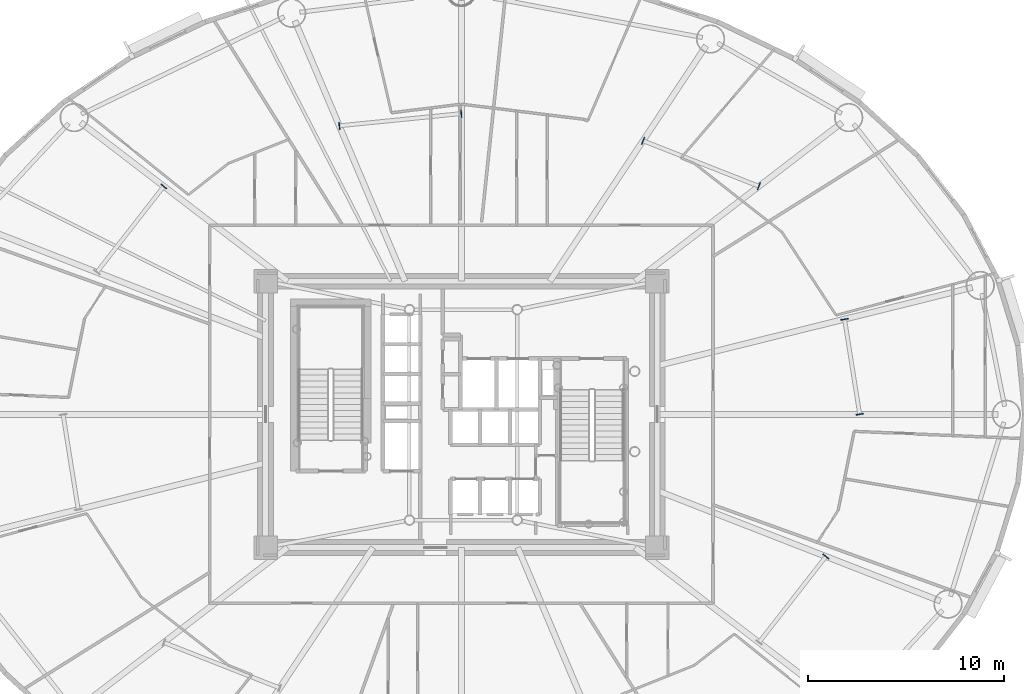
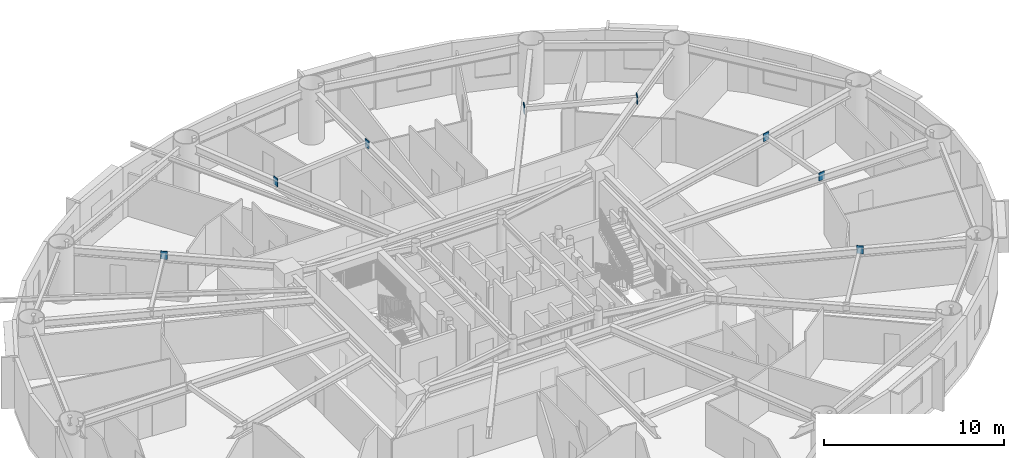
# One storey, part 9 of 21: 8 plates.
"""IFC4 building model written with IfcOpenShell, lengths in metres."""

from ifc_helpers import new_model, si_unit, direction, frame, origin, origin_2d, place, context, subcontext, project, spatial, rectangle, extrude, source, transform, mapped, material, layer, layer_set, type_object, element, save


model = new_model("IFC4")

# Units and contexts
model_context = context("Model", 3, precision=1e-05, world=origin(), true_north=direction((0.0, 1.0)))
body_context = subcontext(model_context, "Body", "Model", "MODEL_VIEW")
ifc_project = project(units=[si_unit("LENGTHUNIT", "METRE"), si_unit("AREAUNIT", "SQUARE_METRE"), si_unit("VOLUMEUNIT", "CUBIC_METRE"), si_unit("PLANEANGLEUNIT", "RADIAN"), si_unit("MASSUNIT", "GRAM", prefix="KILO")], contexts=[model_context])

# Site, building, storey
site_placement = place(None, origin())
site = spatial("IfcSite", under=ifc_project, at=site_placement, CompositionType="ELEMENT")
building_placement = place(site_placement, origin())
building = spatial("IfcBuilding", under=site, at=building_placement, Name="Linh Dai School and Residence Tower", CompositionType="ELEMENT")
storey_placement = place(building_placement, frame((0.0, 0.0, 115.949951171875)))
storey = spatial("IfcBuildingStorey", under=building, at=storey_placement, Name="L27", CompositionType="ELEMENT", Elevation=115.949951171875)

# Plates
ifc_material = material(Name="Structural Steel S355JR", Category="steel")
ifc_layer = layer(ifc_material, 0.0400390625)
ifc_layer_set = layer_set([ifc_layer], Name="Structural Steel S355JR")
plate_type = type_object("IfcPlateType", Name="PLT-GP1", PredefinedType="USERDEFINED", material=ifc_layer_set)
shared_shape = source(origin(), body_context, "Body", "SweptSolid", [
    extrude(rectangle(XDim=0.0400390625, YDim=0.3798828125, at=origin_2d()), origin(), (0.0, 0.0, 1.0), 0.5400390625),
])
for number, where, z_axis, x_axis, name in (
    (1, (56.337646484375, 27.0048828125, 3.080078125), (0.0, 0.0, 1.0), (-0.157025103807, 0.987594611556, 0.0), "L27 Secondary Beam End Plate 01A"),
    (2, (55.56640625, 31.85546875, 3.080078125), (0.0, 0.0, 1.0), (-0.157025103807, 0.987594611556, 0.0), "L27 Secondary Beam End Plate 01B"),
    (3, (51.189453125, 38.64794921875, 3.080078125), (0.0, 0.0, 1.0), (-0.930752465806, 0.3656498973, 0.0), "L27 Secondary Beam End Plate 02A"),
    (4, (45.279296875, 40.969970703125, 3.080078125), (0.0, 0.0, 1.0), (-0.930752465806, 0.3656498973, 0.0), "L27 Secondary Beam End Plate 02B"),
    (5, (35.9951171875, 42.357421875, 3.080078125), (0.0, 0.0, 1.0), (-0.995041739642, -0.09945821419, 0.0), "L27 Secondary Beam End Plate 03A"),
    (6, (29.7705078125, 41.7353515625, 3.080078125), (0.0, 0.0, 1.0), (-0.995041739642, -0.09945821419, 0.0), "L27 Secondary Beam End Plate 03B"),
    (7, (20.802734375, 38.64208984375, 3.080078125), (0.0, 0.0, 1.0), (-0.614362913717, -0.789023580287, 0.0), "L27 Secondary Beam End Plate 04A"),
    (8, (54.609375, 19.739990234375, 3.080078125), (0.0, 0.0, 1.0), (0.614362913717, 0.789023580287, 0.0), "L27 Secondary Beam End Plate 08B"),
):
    element("IfcPlate", number, at=place(storey_placement, frame(where, z_axis=z_axis, x_axis=x_axis)), inside=storey, type_object=plate_type, Name=name, ObjectType="GUSSET PLATE", PredefinedType="USERDEFINED", context=body_context, shape_type="MappedRepresentation", body=[
        mapped(shared_shape, transform((0.0, 0.0, 0.0), x_axis=(1.0, 0.0, 0.0), y_axis=(0.0, 1.0, 0.0), z_axis=(0.0, 0.0, 1.0), scale=1.0)),
    ])

save(model, "model.ifc")
